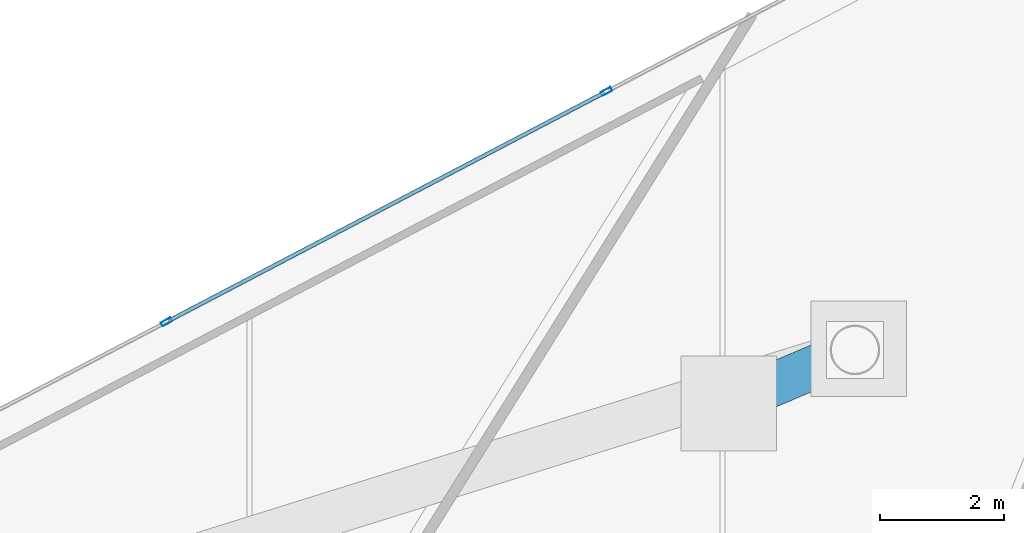
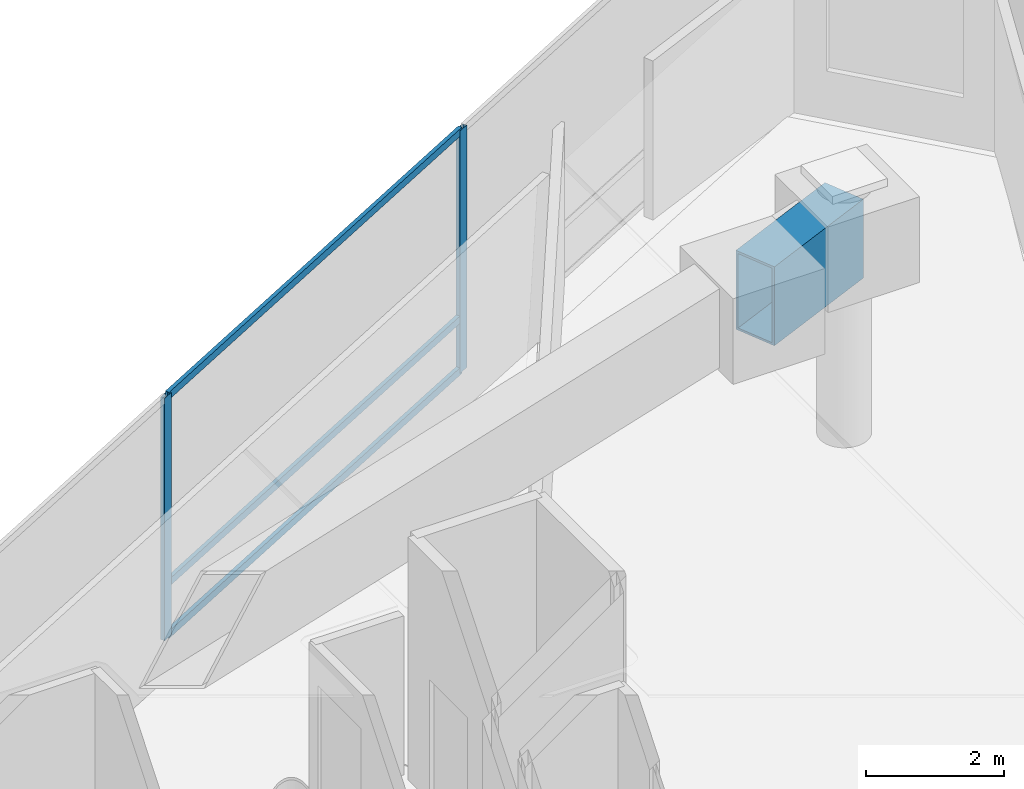
# One storey, part 11 of 17: 5 members, 1 beam, 1 element without a shape of its own.
"""IFC4 building model written with IfcOpenShell, lengths in metres."""

from ifc_helpers import new_model, si_unit, direction, frame, origin, origin_2d, place, context, subcontext, project, spatial, hollow_rectangle, extrude, material, layer, layer_set, material_profile, profile_set, type_object, element, aggregate, save


model = new_model("IFC4")

# Units and contexts
model_context = context("Model", 3, precision=1e-05, world=origin(), true_north=direction((0.0, 1.0)))
body_context = subcontext(model_context, "Body", "Model", "MODEL_VIEW")
ifc_project = project(units=[si_unit("LENGTHUNIT", "METRE"), si_unit("AREAUNIT", "SQUARE_METRE"), si_unit("VOLUMEUNIT", "CUBIC_METRE"), si_unit("PLANEANGLEUNIT", "RADIAN"), si_unit("MASSUNIT", "GRAM", prefix="KILO")], contexts=[model_context])

# Site, building, storey
site_placement = place(None, origin())
site = spatial("IfcSite", under=ifc_project, at=site_placement, CompositionType="ELEMENT")
building_placement = place(site_placement, origin())
building = spatial("IfcBuilding", under=site, at=building_placement, Name="Qianvela Tower", CompositionType="ELEMENT")
storey_placement = place(building_placement, frame((0.0, 0.0, 351.800048828125)))
storey = spatial("IfcBuildingStorey", under=building, at=storey_placement, Name="L91", CompositionType="ELEMENT", Elevation=351.800048828125)

# Beam
ifc_material_1 = material(Name="Steel Q420GJC", Category="steel")
ifc_material_profile_1 = material_profile(ifc_material_1, hollow_rectangle(XDim=0.699951171875, YDim=1.39990234375, WallThickness=0.0400390625, at=origin_2d()), Name="TG-BOX-1400x700x40")
ifc_profile_set_1 = profile_set([ifc_material_profile_1], Name="Steel Q420GJC")
beam_type = type_object("IfcBeamType", Name="BM-TG-STEP-1400", PredefinedType="BEAM", material=ifc_profile_set_1)
beam_placement = place(storey_placement, frame((51.22705078125, 39.7080078125, 3.597900390625), z_axis=(-0.920332961996, -0.391135831986, 0.0), x_axis=(0.391135831986, -0.920332961996, 0.0)))
element("IfcBeam", 1, at=beam_placement, inside=storey, type_object=beam_type, Name="L91 Crown Post Step Transfer Girder 1", PredefinedType="BEAM", context=body_context, shape_type="SweptSolid", body=[
    extrude(hollow_rectangle(XDim=0.699951171875, YDim=1.39990234375, WallThickness=0.0400390625, at=origin_2d()), origin(), (0.0, 0.0, 1.0), 2.150390625),
])

# Curtain wall, members
ifc_material_2 = material(Name="Anodised Architectural Aluminium and Low-E Glass", Category="aluminium")
ifc_layer = layer(ifc_material_2, 0.18994140625)
ifc_layer_set = layer_set([ifc_layer], Name="Anodised Architectural Aluminium and Low-E Glass")
curtain_wall_type = type_object("IfcCurtainWallType", Name="CW-SKYLOBBY", PredefinedType="USERDEFINED", material=ifc_layer_set)
curtain_wall_placement = place(storey_placement, origin())
curtain_wall = element("IfcCurtainWall", 2, at=curtain_wall_placement, inside=storey, type_object=curtain_wall_type, Name="L91 CW-SKYLOBBY Curtain Wall 02", ObjectType="CURTAIN_WALL_SYSTEM", PredefinedType="USERDEFINED")
ifc_material_3 = material(Name="Anodised Architectural Aluminium 6063-T6", Category="aluminium")
ifc_material_profile_2 = material_profile(ifc_material_3, hollow_rectangle(XDim=0.070068359375, YDim=0.179931640625, WallThickness=0.0048828125, at=origin_2d()), Name="ALU-MULL-70x180")
ifc_profile_set_2 = profile_set([ifc_material_profile_2], Name="Anodised Architectural Aluminium 6063-T6")
member_type_1 = type_object("IfcMemberType", Name="CW-SKYLOBBY-MULL", PredefinedType="MULLION", material=ifc_profile_set_2)
member_1_placement = place(storey_placement, frame((47.21533203125, 43.880126953125, 0.0), z_axis=(0.0, 0.0, 1.0), x_axis=(0.463889947302, -0.885892835953, 0.0)))
member_1 = element("IfcMember", 3, at=member_1_placement, type_object=member_type_1, Name="CW-7 mullion 2", PredefinedType="MULLION", context=body_context, shape_type="SweptSolid", body=[
    extrude(hollow_rectangle(XDim=0.070068359375, YDim=0.179931640625, WallThickness=0.0048828125, at=origin_2d()), origin(), (0.0, 0.0, 1.0), 4.300048828125),
])
member_2_placement = place(storey_placement, frame((40.11083984375, 40.159912109375, 0.0), z_axis=(0.0, 0.0, 1.0), x_axis=(0.463889947302, -0.885892835953, 0.0)))
member_2 = element("IfcMember", 4, at=member_2_placement, type_object=member_type_1, Name="CW-7 mullion 3", PredefinedType="MULLION", context=body_context, shape_type="SweptSolid", body=[
    extrude(hollow_rectangle(XDim=0.070068359375, YDim=0.179931640625, WallThickness=0.0048828125, at=origin_2d()), origin(), (0.0, 0.0, 1.0), 4.300048828125),
])
ifc_material_4 = material(Name="Anodised Architectural Aluminium 6063-T6", Category="aluminium")
ifc_material_profile_3 = material_profile(ifc_material_4, hollow_rectangle(XDim=0.06494140625, YDim=0.1298828125, WallThickness=0.00439453125, at=origin_2d()), Name="ALU-TRAN-65x130")
ifc_profile_set_3 = profile_set([ifc_material_profile_3], Name="Anodised Architectural Aluminium 6063-T6")
member_type_2 = type_object("IfcMemberType", Name="CW-SKYLOBBY-TRAN", PredefinedType="USERDEFINED", material=ifc_profile_set_3)
member_3_placement = place(storey_placement, frame((47.184326171875, 43.86376953125, 0.032470703125), z_axis=(-0.885892239488, -0.463891086371, 0.0), x_axis=(0.463891086371, -0.885892239488, 0.0)))
member_3 = element("IfcMember", 5, at=member_3_placement, type_object=member_type_2, Name="CW-7 transom 2.1", ObjectType="TRANSOM", PredefinedType="USERDEFINED", context=body_context, shape_type="SweptSolid", body=[
    extrude(hollow_rectangle(XDim=0.06494140625, YDim=0.1298828125, WallThickness=0.00439453125, at=origin_2d()), origin(), (0.0, 0.0, 1.0), 7.94970703125),
])
member_4_placement = place(storey_placement, frame((47.184326171875, 43.86376953125, 0.949951171875), z_axis=(-0.885892239488, -0.463891086371, 0.0), x_axis=(0.463891086371, -0.885892239488, 0.0)))
member_4 = element("IfcMember", 6, at=member_4_placement, type_object=member_type_2, Name="CW-7 transom 2.2", ObjectType="TRANSOM", PredefinedType="USERDEFINED", context=body_context, shape_type="SweptSolid", body=[
    extrude(hollow_rectangle(XDim=0.06494140625, YDim=0.1298828125, WallThickness=0.00439453125, at=origin_2d()), origin(), (0.0, 0.0, 1.0), 7.94970703125),
])
member_5_placement = place(storey_placement, frame((47.184326171875, 43.86376953125, 4.267333984375), z_axis=(-0.885892239488, -0.463891086371, 0.0), x_axis=(0.463891086371, -0.885892239488, 0.0)))
member_5 = element("IfcMember", 7, at=member_5_placement, type_object=member_type_2, Name="CW-7 transom 2.3", ObjectType="TRANSOM", PredefinedType="USERDEFINED", context=body_context, shape_type="SweptSolid", body=[
    extrude(hollow_rectangle(XDim=0.06494140625, YDim=0.1298828125, WallThickness=0.00439453125, at=origin_2d()), origin(), (0.0, 0.0, 1.0), 7.94970703125),
])
aggregate(curtain_wall, [member_1, member_2, member_3, member_4, member_5])

save(model, "model.ifc")
